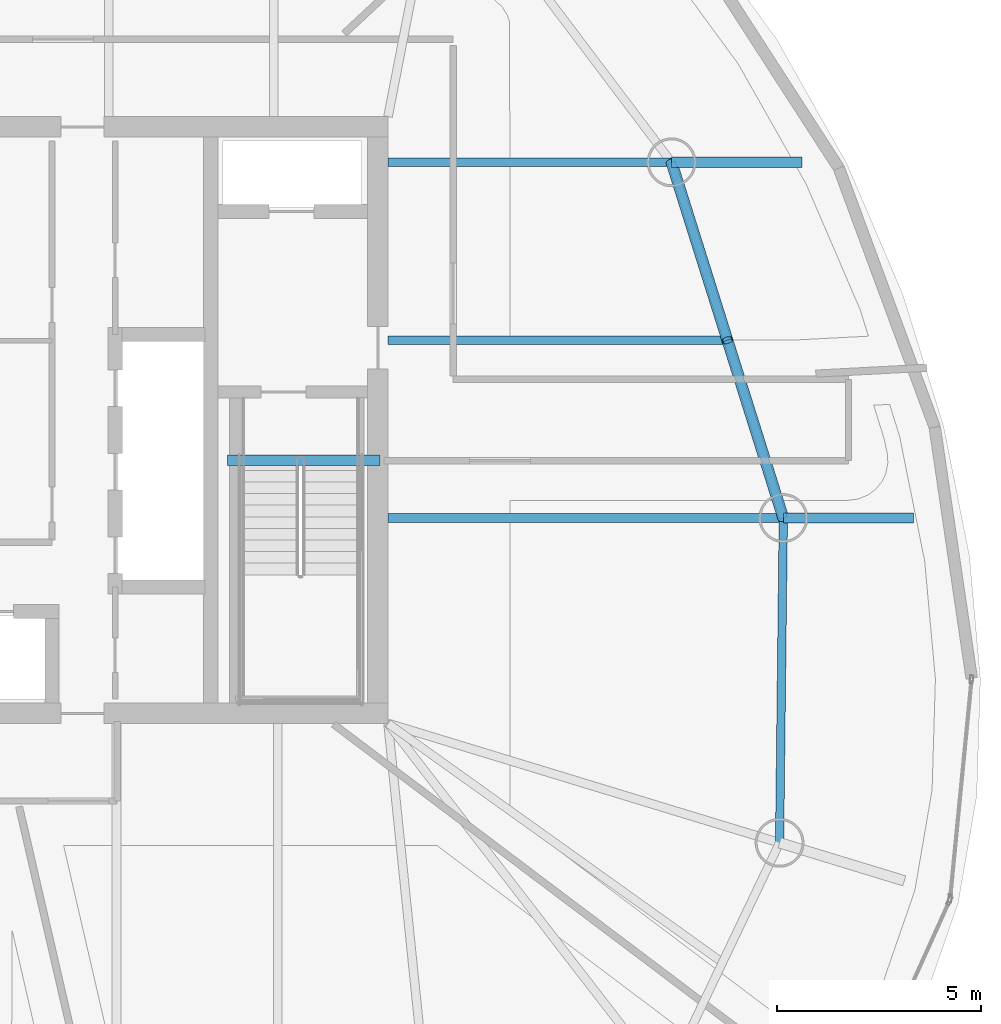
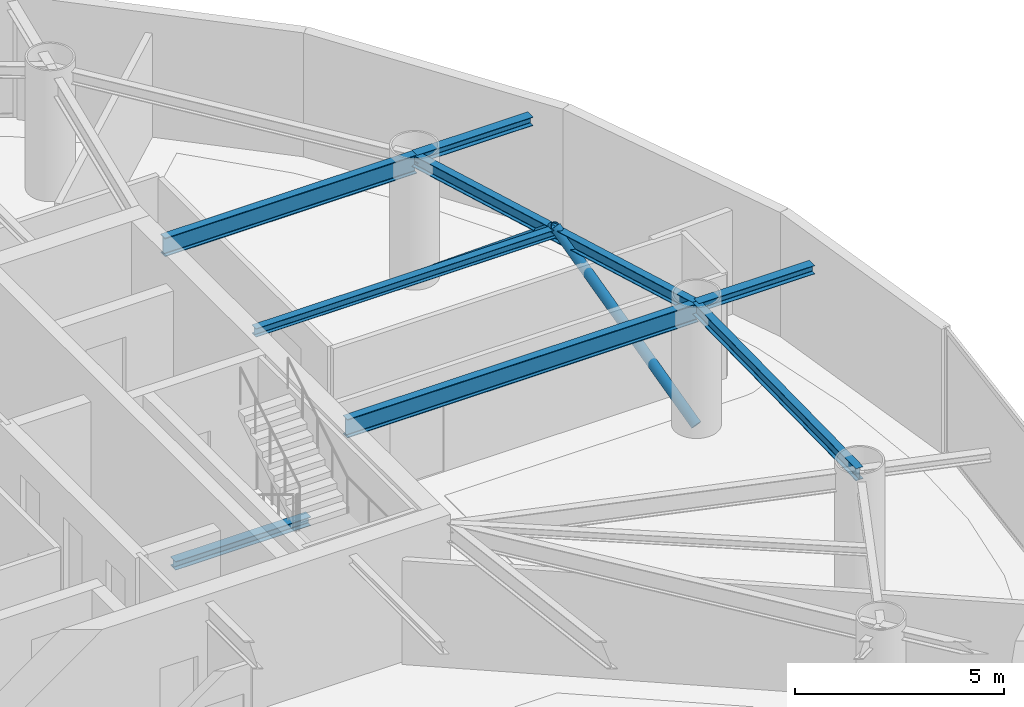
# One storey, part 10 of 25: 8 beams, 2 members.
"""IFC4 building model written with IfcOpenShell, lengths in metres."""

from ifc_helpers import new_model, si_unit, direction, frame, origin, origin_2d, place, context, subcontext, project, spatial, hollow_circle, i_section, extrude, material, material_profile, profile_set, type_object, element, save


model = new_model("IFC4")

# Units and contexts
model_context = context("Model", 3, precision=1e-05, world=origin(), true_north=direction((0.0, 1.0)))
body_context = subcontext(model_context, "Body", "Model", "MODEL_VIEW")
ifc_project = project(units=[si_unit("LENGTHUNIT", "METRE"), si_unit("AREAUNIT", "SQUARE_METRE"), si_unit("VOLUMEUNIT", "CUBIC_METRE"), si_unit("PLANEANGLEUNIT", "RADIAN"), si_unit("MASSUNIT", "GRAM", prefix="KILO")], contexts=[model_context])

# Site, building, storey
site_placement = place(None, origin())
site = spatial("IfcSite", under=ifc_project, at=site_placement, CompositionType="ELEMENT")
building_placement = place(site_placement, origin())
building = spatial("IfcBuilding", under=site, at=building_placement, Name="Bramvorn Convention Spire", CompositionType="ELEMENT")
storey_placement = place(building_placement, frame((0.0, 0.0, 171.199951171875)))
storey = spatial("IfcBuildingStorey", under=building, at=storey_placement, Name="L43", CompositionType="ELEMENT", Elevation=171.199951171875)

# Beams
ifc_material = material(Name="Steel CSA G40.21 Grade 350 (350W)", Category="steel")
ifc_material_profile_1 = material_profile(ifc_material, i_section(OverallWidth=0.201904296875, OverallDepth=0.2470703125, WebThickness=0.00732421875, FlangeThickness=0.010986328125, FilletRadius=0.011962890625, at=origin_2d()))
ifc_profile_set_1 = profile_set([ifc_material_profile_1], Name="Steel CSA G40.21 Grade 350 (350W) - W250X49")
beam_type_1 = type_object("IfcBeamType", Name="BM-W250X49", PredefinedType="JOIST", material=ifc_profile_set_1)
beam_1_placement = place(storey_placement, frame((49.25, 27.960205078125, 3.49658203125), z_axis=(1.0, 0.0, 0.0), x_axis=(0.0, 1.0, 0.0)))
element("IfcBeam", 1, at=beam_1_placement, inside=storey, type_object=beam_type_1, Name="L43 composite floor joist 03", PredefinedType="JOIST", context=body_context, shape_type="SweptSolid", body=[
    extrude(i_section(OverallWidth=0.201904296875, OverallDepth=0.2470703125, WebThickness=0.00732421875, FlangeThickness=0.010986328125, FilletRadius=0.011962890625, at=origin_2d()), origin(), (0.0, 0.0, 1.0), 8.33251953125),
])
ifc_material_profile_2 = material_profile(ifc_material, i_section(OverallWidth=0.25390625, OverallDepth=0.2529296875, WebThickness=0.008544921875, FlangeThickness=0.01416015625, FilletRadius=0.011962890625, at=origin_2d()))
ifc_profile_set_2 = profile_set([ifc_material_profile_2], Name="Steel CSA G40.21 Grade 350 (350W) - W250X73")
beam_type_2 = type_object("IfcBeamType", Name="BM-W250X73", PredefinedType="BEAM", material=ifc_profile_set_2)
beam_2_placement = place(storey_placement, frame((58.95458984375, 23.593505859375, 3.49365234375), z_axis=(1.0, 0.0, 0.0), x_axis=(0.0, 1.0, 0.0)))
element("IfcBeam", 2, at=beam_2_placement, inside=storey, type_object=beam_type_2, Name="L43 slab-edge cantilever tip beam MC03", PredefinedType="BEAM", context=body_context, shape_type="SweptSolid", body=[
    extrude(i_section(OverallWidth=0.25390625, OverallDepth=0.2529296875, WebThickness=0.008544921875, FlangeThickness=0.01416015625, FilletRadius=0.011962890625, at=origin_2d()), origin(), (0.0, 0.0, 1.0), 3.2001953125),
])
beam_3_placement = place(storey_placement, frame((56.21044921875, 32.327392578125, 3.49365234375), z_axis=(1.0, 0.0, 0.0), x_axis=(0.0, 1.0, 0.0)))
element("IfcBeam", 3, at=beam_3_placement, inside=storey, type_object=beam_type_2, Name="L43 slab-edge cantilever tip beam MC04", PredefinedType="BEAM", context=body_context, shape_type="SweptSolid", body=[
    extrude(i_section(OverallWidth=0.25390625, OverallDepth=0.2529296875, WebThickness=0.008544921875, FlangeThickness=0.01416015625, FilletRadius=0.011962890625, at=origin_2d()), origin(), (0.0, 0.0, 1.0), 3.199951171875),
])
beam_4_placement = place(storey_placement, frame((45.31005859375, 25.010009765625, -0.12646484375), z_axis=(1.0, 0.0, 0.0), x_axis=(0.0, 1.0, 0.0)))
element("IfcBeam", 4, at=beam_4_placement, inside=storey, type_object=beam_type_2, Name="L43 ST2 stair arrival header beam", PredefinedType="BEAM", context=body_context, shape_type="SweptSolid", body=[
    extrude(i_section(OverallWidth=0.25390625, OverallDepth=0.2529296875, WebThickness=0.008544921875, FlangeThickness=0.01416015625, FilletRadius=0.011962890625, at=origin_2d()), origin(), (0.0, 0.0, 1.0), 3.739990234375),
])
ifc_material_profile_3 = material_profile(ifc_material, i_section(OverallWidth=0.205078125, OverallDepth=0.35400390625, WebThickness=0.009521484375, FlangeThickness=0.016845703125, FilletRadius=0.014892578125, at=origin_2d()))
ifc_profile_set_3 = profile_set([ifc_material_profile_3], Name="Steel CSA G40.21 Grade 350 (350W) - W360X79")
beam_type_3 = type_object("IfcBeamType", Name="BM-W360X79", PredefinedType="JOIST", material=ifc_profile_set_3)
beam_5_placement = place(storey_placement, frame((58.863037109375, 15.619384765625, 3.443115234375), z_axis=(0.011480475367, 0.999934097171, 0.0), x_axis=(-0.999934097171, 0.011480475367, 0.0)))
element("IfcBeam", 5, at=beam_5_placement, inside=storey, type_object=beam_type_3, Name="L43 mega-column ring beam 02", PredefinedType="JOIST", context=body_context, shape_type="SweptSolid", body=[
    extrude(i_section(OverallWidth=0.205078125, OverallDepth=0.35400390625, WebThickness=0.009521484375, FlangeThickness=0.016845703125, FilletRadius=0.014892578125, at=origin_2d()), origin(), (0.0, 0.0, 1.0), 7.974609375),
])
beam_6_placement = place(storey_placement, frame((58.95458984375, 23.593505859375, 3.443115234375), z_axis=(-0.299747542929, 0.954018558786, 0.0), x_axis=(-0.954018558786, -0.299747542929, 0.0)))
element("IfcBeam", 6, at=beam_6_placement, inside=storey, type_object=beam_type_3, Name="L43 mega-column ring beam 03", PredefinedType="JOIST", context=body_context, shape_type="SweptSolid", body=[
    extrude(i_section(OverallWidth=0.205078125, OverallDepth=0.35400390625, WebThickness=0.009521484375, FlangeThickness=0.016845703125, FilletRadius=0.014892578125, at=origin_2d()), origin(), (0.0, 0.0, 1.0), 9.15478515625),
])
ifc_material_profile_4 = material_profile(ifc_material, i_section(OverallWidth=0.2119140625, OverallDepth=0.5439453125, WebThickness=0.01318359375, FlangeThickness=0.021240234375, FilletRadius=0.01904296875, at=origin_2d()))
ifc_profile_set_4 = profile_set([ifc_material_profile_4], Name="Steel CSA G40.21 Grade 350 (350W) - W530X123")
beam_type_4 = type_object("IfcBeamType", Name="BM-W530X123", PredefinedType="BEAM", material=ifc_profile_set_4)
beam_7_placement = place(storey_placement, frame((49.25, 23.593505859375, 3.34814453125), z_axis=(1.0, 0.0, 0.0), x_axis=(0.0, 1.0, 0.0)))
element("IfcBeam", 7, at=beam_7_placement, inside=storey, type_object=beam_type_4, Name="L43 radial floor girder MC03", PredefinedType="BEAM", context=body_context, shape_type="SweptSolid", body=[
    extrude(i_section(OverallWidth=0.2119140625, OverallDepth=0.5439453125, WebThickness=0.01318359375, FlangeThickness=0.021240234375, FilletRadius=0.01904296875, at=origin_2d()), origin(), (0.0, 0.0, 1.0), 9.70458984375),
])
beam_8_placement = place(storey_placement, frame((49.25, 32.327392578125, 3.34814453125), z_axis=(1.0, 0.0, 0.0), x_axis=(0.0, 1.0, 0.0)))
element("IfcBeam", 8, at=beam_8_placement, inside=storey, type_object=beam_type_4, Name="L43 radial floor girder MC04", PredefinedType="BEAM", context=body_context, shape_type="SweptSolid", body=[
    extrude(i_section(OverallWidth=0.2119140625, OverallDepth=0.5439453125, WebThickness=0.01318359375, FlangeThickness=0.021240234375, FilletRadius=0.01904296875, at=origin_2d()), origin(), (0.0, 0.0, 1.0), 6.96044921875),
])

# Members
ifc_material_profile_5 = material_profile(ifc_material, hollow_circle(Radius=0.136474609375, WallThickness=0.0126953125, at=origin_2d()))
ifc_profile_set_5 = profile_set([ifc_material_profile_5], Name="Steel CSA G40.21 Grade 350 (350W) - CHS273X13")
member_type = type_object("IfcMemberType", Name="MBR-CHS273X13", PredefinedType="BRACE", material=ifc_profile_set_5)
for number, where, z_axis, x_axis, name in (
    (9, (58.95458984375, 23.593505859375, 0.0), (-0.235107601758, 0.74828641862, 0.620315928624), (-0.954018558786, -0.299747542929, 0.0), "L43 perimeter Gothic lancet brace 3A"),
    (10, (56.21044921875, 32.327392578125, 0.0), (0.235107601758, -0.74828641862, 0.620315928624), (0.954018558786, 0.299747542929, 0.0), "L43 perimeter Gothic lancet brace 3B"),
):
    element("IfcMember", number, at=place(storey_placement, frame(where, z_axis=z_axis, x_axis=x_axis)), inside=storey, type_object=member_type, Name=name, PredefinedType="BRACE", context=body_context, shape_type="SweptSolid", body=[
        extrude(hollow_circle(Radius=0.136474609375, WallThickness=0.0126953125, at=origin_2d()), origin(), (0.0, 0.0, 1.0), 5.8359375),
    ])

save(model, "model.ifc")
